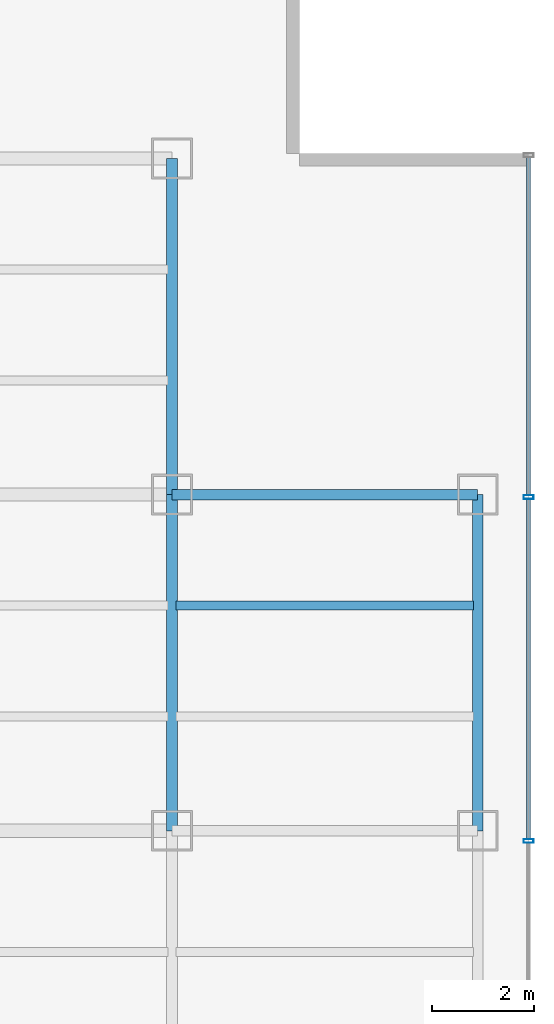
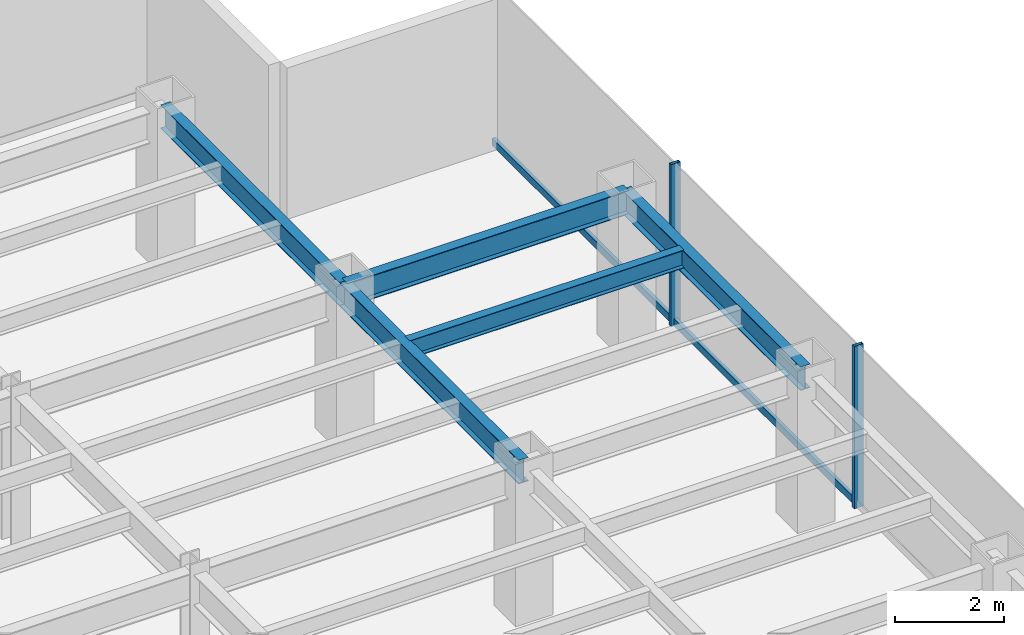
# One storey, part 12 of 26: 5 beams, 4 members, 1 element without a shape of its own.
"""IFC4 building model written with IfcOpenShell, lengths in metres."""

from ifc_helpers import new_model, si_unit, derived_unit, direction, frame, origin, origin_2d, place, context, subcontext, project, spatial, hollow_rectangle, i_section, extrude, source, transform, mapped, material, material_profile, profile_set, type_object, element, aggregate, save


model = new_model("IFC4")

# Units and contexts
model_context = context("Model", 3, precision=1e-05, world=origin(), true_north=direction((0.0, 1.0)))
body_context = subcontext(model_context, "Body", "Model", "MODEL_VIEW")
ifc_project = project(units=[si_unit("LENGTHUNIT", "METRE"), si_unit("AREAUNIT", "SQUARE_METRE"), si_unit("VOLUMEUNIT", "CUBIC_METRE"), si_unit("PLANEANGLEUNIT", "RADIAN"), si_unit("MASSUNIT", "GRAM", prefix="KILO"), derived_unit("THERMALTRANSMITTANCEUNIT", [(si_unit("POWERUNIT", "WATT"), 1), (si_unit("LENGTHUNIT", "METRE"), -2), (si_unit("THERMODYNAMICTEMPERATUREUNIT", "KELVIN"), -1)])], contexts=[model_context])

# Site, building, storey
site_placement = place(None, origin())
site = spatial("IfcSite", under=ifc_project, at=site_placement, CompositionType="ELEMENT")
building_placement = place(site_placement, origin())
building = spatial("IfcBuilding", under=site, at=building_placement, Name="Skarnbrae Concourse Arena and Tower", CompositionType="ELEMENT")
storey_placement = place(building_placement, frame((0.0, 0.0, 106.89990234375)))
storey = spatial("IfcBuildingStorey", under=building, at=storey_placement, Name="L26", CompositionType="ELEMENT", Elevation=106.89990234375)

# Beams
ifc_material_1 = material(Name="Steel CSA G40.21 350W", Category="steel")
ifc_material_profile_1 = material_profile(ifc_material_1, i_section(OverallWidth=0.208984375, OverallDepth=0.532958984375, WebThickness=0.01025390625, FlangeThickness=0.015625, at=origin_2d()), Name="W530X92")
ifc_profile_set_1 = profile_set([ifc_material_profile_1], Name="Steel CSA G40.21 350W")
beam_type_1 = type_object("IfcBeamType", Name="BM-SPAN-W530X92", PredefinedType="SPANDREL", material=ifc_profile_set_1)
shared_shape_1 = source(origin(), body_context, "Body", "SweptSolid", [
    extrude(i_section(OverallWidth=0.208984375, OverallDepth=0.532958984375, WebThickness=0.01025390625, FlangeThickness=0.015625, at=origin_2d()), origin(), (0.0, 0.0, 1.0), 6.0),
])
beam_1_placement = place(storey_placement, frame((49.0, 27.800048828125, 3.133544921875), z_axis=(1.0, 0.0, 0.0), x_axis=(0.0, 1.0, 0.0)))
element("IfcBeam", 1, at=beam_1_placement, inside=storey, type_object=beam_type_1, Name="L26 Perimeter spandrel Y27.8-8", PredefinedType="SPANDREL", context=body_context, shape_type="MappedRepresentation", body=[
    mapped(shared_shape_1, transform((0.0, 0.0, 0.0))),
])
shared_shape_2 = source(origin(), body_context, "Body", "SweptSolid", [
    extrude(i_section(OverallWidth=0.208984375, OverallDepth=0.532958984375, WebThickness=0.01025390625, FlangeThickness=0.015625, at=origin_2d()), origin(), (0.0, 0.0, 1.0), 6.60009765625),
])
for number, where, z_axis, x_axis, name in (
    (2, (49.0, 21.199951171875, 3.133544921875), (0.0, 1.0, 0.0), (-1.0, 0.0, 0.0), "L26 Perimeter spandrel X49.0-3"),
    (3, (55.0, 21.199951171875, 3.133544921875), (0.0, 1.0, 0.0), (-1.0, 0.0, 0.0), "L26 Perimeter spandrel X55.0-3"),
):
    element("IfcBeam", number, at=place(storey_placement, frame(where, z_axis=z_axis, x_axis=x_axis)), inside=storey, type_object=beam_type_1, Name=name, PredefinedType="SPANDREL", context=body_context, shape_type="MappedRepresentation", body=[
        mapped(shared_shape_2, transform((0.0, 0.0, 0.0))),
    ])
shared_shape_3 = source(origin(), body_context, "Body", "SweptSolid", [
    extrude(i_section(OverallWidth=0.208984375, OverallDepth=0.532958984375, WebThickness=0.01025390625, FlangeThickness=0.015625, at=origin_2d()), origin(), (0.0, 0.0, 1.0), 6.599853515625),
])
beam_2_placement = place(storey_placement, frame((49.0, 27.800048828125, 3.133544921875), z_axis=(0.0, 1.0, 0.0), x_axis=(-1.0, 0.0, 0.0)))
element("IfcBeam", 4, at=beam_2_placement, inside=storey, type_object=beam_type_1, Name="L26 Perimeter spandrel X49.0-4", PredefinedType="SPANDREL", context=body_context, shape_type="MappedRepresentation", body=[
    mapped(shared_shape_3, transform((0.0, 0.0, 0.0))),
])
ifc_material_profile_2 = material_profile(ifc_material_1, i_section(OverallWidth=0.177978515625, OverallDepth=0.406982421875, WebThickness=0.0078125, FlangeThickness=0.0126953125, at=origin_2d()), Name="W410X60")
ifc_profile_set_2 = profile_set([ifc_material_profile_2], Name="Steel CSA G40.21 350W")
beam_type_2 = type_object("IfcBeamType", Name="BM-JOIST-W410X60", PredefinedType="JOIST", material=ifc_profile_set_2)
shared_shape_4 = source(origin(), body_context, "Body", "SweptSolid", [
    extrude(i_section(OverallWidth=0.177978515625, OverallDepth=0.406982421875, WebThickness=0.0078125, FlangeThickness=0.0126953125, at=origin_2d()), origin(), (0.0, 0.0, 1.0), 5.83984375),
])
beam_3_placement = place(storey_placement, frame((49.080078125, 25.6220703125, 3.196533203125), z_axis=(1.0, 0.0, 0.0), x_axis=(0.0, 1.0, 0.0)))
element("IfcBeam", 5, at=beam_3_placement, inside=storey, type_object=beam_type_2, Name="L26 Secondary floor joist 2.2.8", PredefinedType="JOIST", context=body_context, shape_type="MappedRepresentation", body=[
    mapped(shared_shape_4, transform((0.0, 0.0, 0.0))),
])

# Curtain wall, members
ifc_material_2 = material(Name="Bronze anodised aluminium 6063-T6", Category="aluminium")
curtain_wall_type = type_object("IfcCurtainWallType", Name="CW-SYS-04-MIDZONE", PredefinedType="USERDEFINED", material=ifc_material_2)
curtain_wall_placement = place(storey_placement, origin())
curtain_wall = element("IfcCurtainWall", 6, at=curtain_wall_placement, inside=storey, type_object=curtain_wall_type, Name="L26 Unitised curtain wall CW-L26-E04", ObjectType="UNITISED CURTAIN WALL", PredefinedType="USERDEFINED")
ifc_material_profile_3 = material_profile(ifc_material_2, hollow_rectangle(XDim=0.074951171875, YDim=0.195068359375, WallThickness=0.00439453125, at=origin_2d()), Name="ALU-MULL-75X195")
ifc_profile_set_3 = profile_set([ifc_material_profile_3], Name="Bronze anodised aluminium 6063-T6")
member_type_1 = type_object("IfcMemberType", Name="CWM-CW-04", PredefinedType="MULLION", material=ifc_profile_set_3)
shared_shape_5 = source(origin(), body_context, "Body", "SweptSolid", [
    extrude(hollow_rectangle(XDim=0.074951171875, YDim=0.195068359375, WallThickness=0.00439453125, at=origin_2d()), origin(), (0.0, 0.0, 1.0), 3.650146484375),
])
member_1_placement = place(storey_placement, frame((56.0, 21.0, 0.0), z_axis=(0.0, 0.0, 1.0), x_axis=(0.0, 1.0, 0.0)))
member_1 = element("IfcMember", 7, at=member_1_placement, type_object=member_type_1, Name="CW-L26-E04 Mullion 3", PredefinedType="MULLION", context=body_context, shape_type="MappedRepresentation", body=[
    mapped(shared_shape_5, transform((0.0, 0.0, 0.0))),
])
member_2_placement = place(storey_placement, frame((56.0, 27.75, 0.0), z_axis=(0.0, 0.0, 1.0), x_axis=(0.0, 1.0, 0.0)))
member_2 = element("IfcMember", 8, at=member_2_placement, type_object=member_type_1, Name="CW-L26-E04 Mullion 4", PredefinedType="MULLION", context=body_context, shape_type="MappedRepresentation", body=[
    mapped(shared_shape_5, transform((0.0, 0.0, 0.0))),
])
ifc_material_profile_4 = material_profile(ifc_material_2, hollow_rectangle(XDim=0.074951171875, YDim=0.159912109375, WallThickness=0.00439453125, at=origin_2d()), Name="ALU-TRAN-75X160")
ifc_profile_set_4 = profile_set([ifc_material_profile_4], Name="Bronze anodised aluminium 6063-T6")
member_type_2 = type_object("IfcMemberType", Name="CWT-CW-04", PredefinedType="USERDEFINED", material=ifc_profile_set_4)
shared_shape_6 = source(origin(), body_context, "Body", "SweptSolid", [
    extrude(hollow_rectangle(XDim=0.074951171875, YDim=0.159912109375, WallThickness=0.00439453125, at=origin_2d()), origin(), (0.0, 0.0, 1.0), 6.637451171875),
])
member_3_placement = place(storey_placement, frame((56.0, 27.78759765625, 0.080078125), z_axis=(0.0, 1.0, 0.0), x_axis=(-1.0, 0.0, 0.0)))
member_3 = element("IfcMember", 9, at=member_3_placement, type_object=member_type_2, Name="CW-L26-E04 Transom 4", ObjectType="TRANSOM", PredefinedType="USERDEFINED", context=body_context, shape_type="MappedRepresentation", body=[
    mapped(shared_shape_6, transform((0.0, 0.0, 0.0))),
])
shared_shape_7 = source(origin(), body_context, "Body", "SweptSolid", [
    extrude(hollow_rectangle(XDim=0.074951171875, YDim=0.159912109375, WallThickness=0.00439453125, at=origin_2d()), origin(), (0.0, 0.0, 1.0), 6.6748046875),
])
member_4_placement = place(storey_placement, frame((56.0, 21.03759765625, 0.080078125), z_axis=(0.0, 1.0, 0.0), x_axis=(-1.0, 0.0, 0.0)))
member_4 = element("IfcMember", 10, at=member_4_placement, type_object=member_type_2, Name="CW-L26-E04 Transom 3", ObjectType="TRANSOM", PredefinedType="USERDEFINED", context=body_context, shape_type="MappedRepresentation", body=[
    mapped(shared_shape_7, transform((0.0, 0.0, 0.0))),
])
aggregate(curtain_wall, [member_1, member_2, member_4, member_3])

save(model, "model.ifc")
